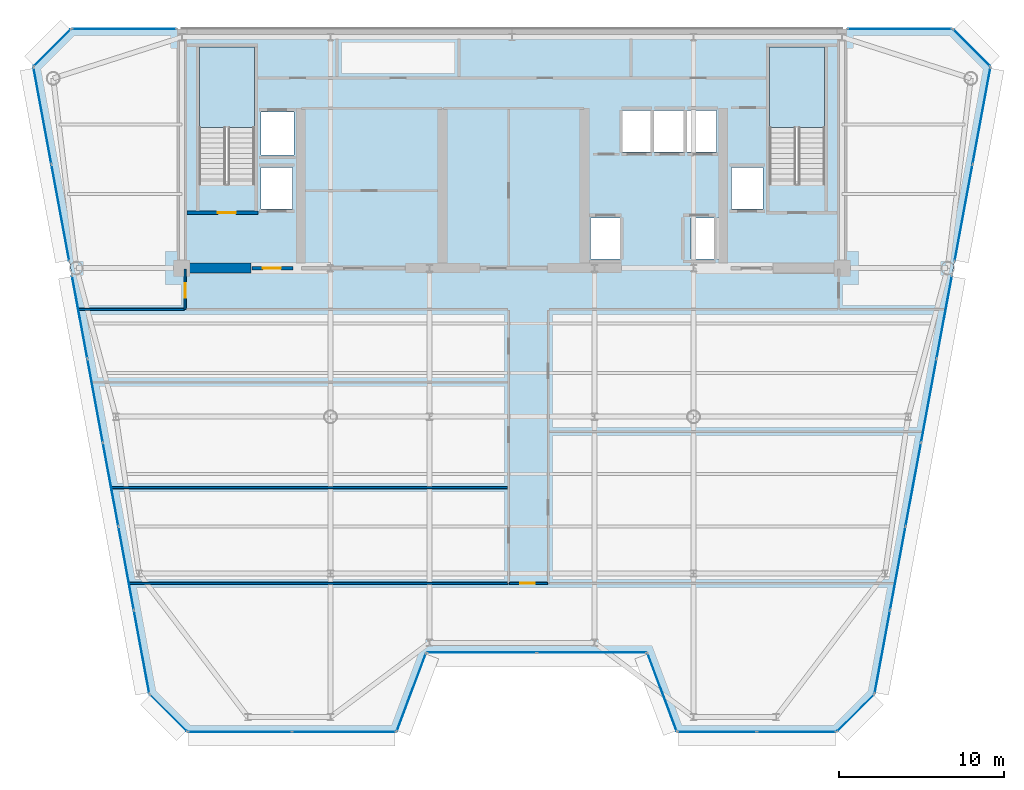
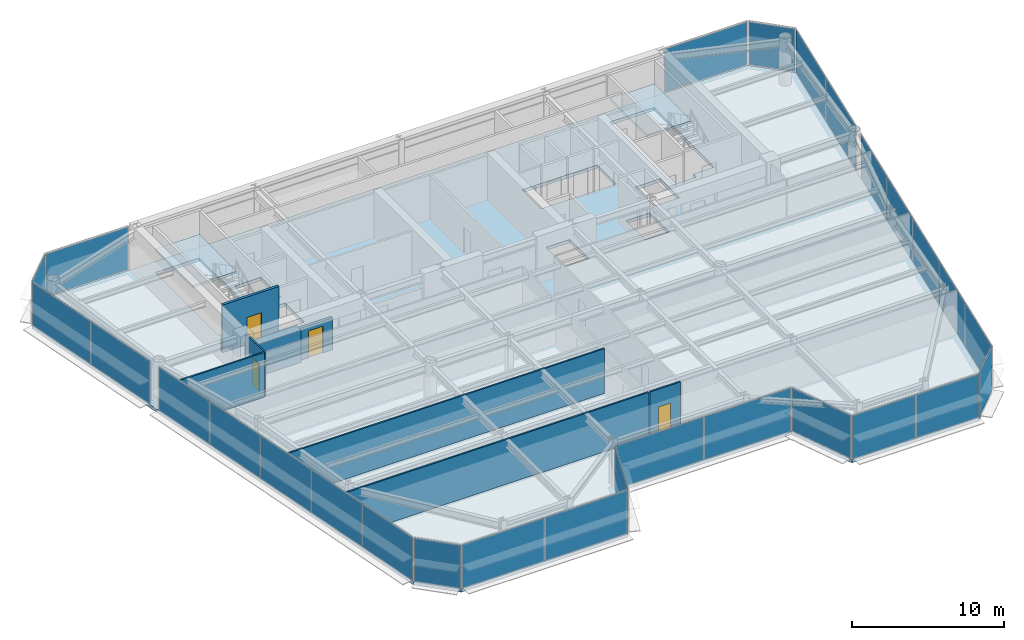
# One storey, part 10 of 16: 28 plates, 8 walls, 4 doors, 3 slabs, 4 openings, 17 elements without a shape of their own.
"""IFC4 building model written with IfcOpenShell, lengths in metres."""

from ifc_helpers import new_model, si_unit, direction, frame, frame_2d, origin, origin_2d, place, context, subcontext, project, spatial, polyline, rectangle, outline, extrude, source, transform, mapped, material, layer, layer_set, type_object, element, fill, aggregate, save


model = new_model("IFC4")

# Units and contexts
model_context = context("Model", 3, precision=1e-05, world=origin(), true_north=direction((0.0, 1.0)))
body_context = subcontext(model_context, "Body", "Model", "MODEL_VIEW")
ifc_project = project(units=[si_unit("LENGTHUNIT", "METRE"), si_unit("AREAUNIT", "SQUARE_METRE"), si_unit("VOLUMEUNIT", "CUBIC_METRE"), si_unit("PLANEANGLEUNIT", "RADIAN"), si_unit("MASSUNIT", "GRAM", prefix="KILO")], contexts=[model_context])

# Site, building, storey
site_placement = place(None, origin())
site = spatial("IfcSite", under=ifc_project, at=site_placement, CompositionType="ELEMENT")
building_placement = place(site_placement, origin())
building = spatial("IfcBuilding", under=site, at=building_placement, Name="Vaeldorn Concourse Tower", CompositionType="ELEMENT")
storey_placement = place(building_placement, frame((0.0, 0.0, 223.199951171875)))
storey = spatial("IfcBuildingStorey", under=building, at=storey_placement, Name="L57", CompositionType="ELEMENT", Elevation=223.199951171875)

# Stair, slab
ifc_material_1 = material(Name="Precast concrete C40/50", Category="concrete")
stair_type = type_object("IfcStairType", Name="STR-DOG-24x158", PredefinedType="HALF_TURN_STAIR", material=ifc_material_1)
stair_1_placement = place(storey_placement, origin())
stair_1 = element("IfcStair", 1, at=stair_1_placement, inside=storey, type_object=stair_type, Name="L57 West Core Exit Stair ST-1", PredefinedType="HALF_TURN_STAIR")
ifc_material_2 = material(Name="Concrete C40/50", Category="concrete")
ifc_layer_1 = layer(ifc_material_2, 0.199951171875)
ifc_layer_set_1 = layer_set([ifc_layer_1], Name="Concrete C40/50")
slab_type_1 = type_object("IfcSlabType", Name="SL-STAIR-LANDING", PredefinedType="LANDING", material=ifc_layer_set_1)
slab_1_placement = place(storey_placement, frame((0.0, 0.0, 1.699951171875)))
slab_1 = element("IfcSlab", 2, at=slab_1_placement, type_object=slab_type_1, Name="ST-1 landing 1", PredefinedType="LANDING", context=body_context, shape_type="SweptSolid", body=[
    extrude(outline(polyline([(18.39990234375, 45.010009765625), (18.39990234375, 49.89990234375), (15.050048828125, 49.89990234375), (15.050048828125, 45.010009765625), (18.39990234375, 45.010009765625)])), origin(), (0.0, 0.0, 1.0), 0.2001953125),
])
aggregate(stair_1, [slab_1])

stair_2_placement = place(storey_placement, origin())
stair_2 = element("IfcStair", 3, at=stair_2_placement, inside=storey, type_object=stair_type, Name="L57 East Core Exit Stair ST-2", PredefinedType="HALF_TURN_STAIR")
slab_2_placement = place(storey_placement, frame((0.0, 0.0, 1.699951171875)))
slab_2 = element("IfcSlab", 4, at=slab_2_placement, type_object=slab_type_1, Name="ST-2 landing 1", PredefinedType="LANDING", context=body_context, shape_type="SweptSolid", body=[
    extrude(outline(polyline([(52.949951171875, 45.010009765625), (52.949951171875, 49.89990234375), (49.60009765625, 49.89990234375), (49.60009765625, 45.010009765625), (52.949951171875, 45.010009765625)])), origin(), (0.0, 0.0, 1.0), 0.2001953125),
])
aggregate(stair_2, [slab_2])

# Slab
ifc_layer_2 = layer(ifc_material_2, 0.260009765625)
ifc_layer_set_2 = layer_set([ifc_layer_2], Name="Concrete C40/50")
slab_type_2 = type_object("IfcSlabType", Name="SL-TRN-260", PredefinedType="FLOOR", material=ifc_layer_set_2)
slab_3_placement = place(storey_placement, frame((0.0, 0.0, -0.260009765625)))
element("IfcSlab", 5, at=slab_3_placement, inside=storey, type_object=slab_type_2, Name="Structural Floor Slab L57", PredefinedType="FLOOR", context=body_context, shape_type="SweptSolid", body=[
    extrude(outline(polyline([(14.3291015625, 8.39990234375), (27.0, 8.39990234375), (28.800048828125, 13.199951171875), (42.199951171875, 13.199951171875), (44.0, 8.39990234375), (53.6708984375, 8.39990234375), (55.970947265625, 10.699951171875), (63.0, 48.699951171875), (60.699951171875, 51.0), (7.300048828125, 51.0), (5.0, 48.699951171875), (12.029052734375, 10.699951171875), (14.3291015625, 8.39990234375)]), holes=[polyline([(18.39990234375, 42.0), (18.39990234375, 49.89990234375), (15.050048828125, 49.89990234375), (15.050048828125, 41.60009765625), (16.800048828125, 41.60009765625), (16.800048828125, 42.0), (18.39990234375, 42.0)]), polyline([(52.949951171875, 42.0), (52.949951171875, 49.89990234375), (49.60009765625, 49.89990234375), (49.60009765625, 41.60009765625), (51.35009765625, 41.60009765625), (51.35009765625, 42.0), (52.949951171875, 42.0)]), polyline([(38.75, 37.050048828125), (40.550048828125, 37.050048828125), (40.550048828125, 39.550048828125), (38.75, 39.550048828125), (38.75, 37.050048828125)]), polyline([(44.85009765625, 37.050048828125), (46.64990234375, 37.050048828125), (46.64990234375, 39.550048828125), (44.85009765625, 39.550048828125), (44.85009765625, 37.050048828125)]), polyline([(40.699951171875, 43.550048828125), (46.39990234375, 43.550048828125), (46.39990234375, 46.050048828125), (40.699951171875, 46.050048828125), (40.699951171875, 43.550048828125)]), polyline([(18.800048828125, 43.35009765625), (20.800048828125, 43.35009765625), (20.800048828125, 45.949951171875), (18.800048828125, 45.949951171875), (18.800048828125, 43.35009765625)]), polyline([(18.800048828125, 40.10009765625), (20.699951171875, 40.10009765625), (20.699951171875, 42.60009765625), (18.800048828125, 42.60009765625), (18.800048828125, 40.10009765625)]), polyline([(47.300048828125, 40.10009765625), (49.199951171875, 40.10009765625), (49.199951171875, 42.60009765625), (47.300048828125, 42.60009765625), (47.300048828125, 40.10009765625)])]), origin(), (0.0, 0.0, 1.0), 0.260009765625),
])

# Curtain wall, plate
ifc_material_3 = material(Name="Anodised Bronze Aluminium", Category="aluminium")
ifc_layer_3 = layer(ifc_material_3, 0.179931640625)
ifc_layer_set_3 = layer_set([ifc_layer_3], Name="Anodised Bronze Aluminium")
curtain_wall_type = type_object("IfcCurtainWallType", Name="CW-SYS-05", PredefinedType="NOTDEFINED", material=ifc_layer_set_3)
curtain_wall_1_placement = place(storey_placement, origin())
curtain_wall_1 = element("IfcCurtainWall", 6, at=curtain_wall_1_placement, inside=storey, type_object=curtain_wall_type, Name="Unitised Curtain Wall CW-L57-E02-1", PredefinedType="NOTDEFINED")
ifc_material_4 = material(Name="Bronze Tinted Low-E Insulated Glass", Category="glass")
ifc_layer_4 = layer(ifc_material_4, 0.031982421875)
ifc_layer_set_4 = layer_set([ifc_layer_4], Name="Bronze Tinted Low-E Insulated Glass")
plate_type = type_object("IfcPlateType", Name="CWP-VISION-32", PredefinedType="CURTAIN_PANEL", material=ifc_layer_set_4)
shared_shape_1 = source(origin(), body_context, "Body", "SweptSolid", [
    extrude(rectangle(XDim=4.996337890625, YDim=0.031982421875, at=origin_2d()), origin(), (0.0, 0.0, 1.0), 3.449951171875),
])
plate_1_placement = place(storey_placement, frame((27.89990234375, 10.800048828125, 0.06494140625), z_axis=(0.0, 0.0, 1.0), x_axis=(0.351123441595, 0.936329177566, 0.0)))
plate_1 = element("IfcPlate", 7, at=plate_1_placement, type_object=plate_type, Name="CW-05 panel 1.1", PredefinedType="CURTAIN_PANEL", context=body_context, shape_type="MappedRepresentation", body=[
    mapped(shared_shape_1, transform((0.0, 0.0, 0.0), scale=1.0)),
])
aggregate(curtain_wall_1, [plate_1])

curtain_wall_2_placement = place(storey_placement, origin())
curtain_wall_2 = element("IfcCurtainWall", 8, at=curtain_wall_2_placement, inside=storey, type_object=curtain_wall_type, Name="Unitised Curtain Wall CW-L57-E04-1", PredefinedType="NOTDEFINED")
plate_2_placement = place(storey_placement, frame((43.10009765625, 10.800048828125, 0.06494140625), z_axis=(0.0, 0.0, 1.0), x_axis=(0.351123441595, -0.936329177566, 0.0)))
plate_2 = element("IfcPlate", 9, at=plate_2_placement, type_object=plate_type, Name="CW-05 panel 1.1", PredefinedType="CURTAIN_PANEL", context=body_context, shape_type="MappedRepresentation", body=[
    mapped(shared_shape_1, transform((0.0, 0.0, 0.0), scale=1.0)),
])
aggregate(curtain_wall_2, [plate_2])

# Curtain wall, plates
curtain_wall_3_placement = place(storey_placement, origin())
curtain_wall_3 = element("IfcCurtainWall", 10, at=curtain_wall_3_placement, inside=storey, type_object=curtain_wall_type, Name="Unitised Curtain Wall CW-L57-E03-1", PredefinedType="NOTDEFINED")
shared_shape_2 = source(origin(), body_context, "Body", "SweptSolid", [
    extrude(rectangle(XDim=6.6025390625, YDim=0.031982421875, at=origin_2d()), origin(), (0.0, 0.0, 1.0), 3.449951171875),
])
plate_3_placement = place(storey_placement, frame((32.166259765625, 13.199951171875, 0.06494140625), z_axis=(0.0, 0.0, 1.0), x_axis=(1.0, 0.0, 0.0)))
plate_3 = element("IfcPlate", 11, at=plate_3_placement, type_object=plate_type, Name="CW-05 panel 1.1", PredefinedType="CURTAIN_PANEL", context=body_context, shape_type="MappedRepresentation", body=[
    mapped(shared_shape_2, transform((0.0, 0.0, 0.0), scale=1.0)),
])
plate_4_placement = place(storey_placement, frame((38.833740234375, 13.199951171875, 0.06494140625), z_axis=(0.0, 0.0, 1.0), x_axis=(1.0, 0.0, 0.0)))
plate_4 = element("IfcPlate", 12, at=plate_4_placement, type_object=plate_type, Name="CW-05 panel 2.1", PredefinedType="CURTAIN_PANEL", context=body_context, shape_type="MappedRepresentation", body=[
    mapped(shared_shape_2, transform((0.0, 0.0, 0.0), scale=1.0)),
])
aggregate(curtain_wall_3, [plate_3, plate_4])

# Curtain wall, plate
curtain_wall_4_placement = place(storey_placement, origin())
curtain_wall_4 = element("IfcCurtainWall", 13, at=curtain_wall_4_placement, inside=storey, type_object=curtain_wall_type, Name="Unitised Curtain Wall CW-L57-E06-1", PredefinedType="NOTDEFINED")
shared_shape_3 = source(origin(), body_context, "Body", "SweptSolid", [
    extrude(rectangle(XDim=3.122802734375, YDim=0.031982421875, at=origin_2d()), origin(), (0.0, 0.0, 1.0), 3.449951171875),
])
plate_5_placement = place(storey_placement, frame((54.821044921875, 9.550048828125, 0.06494140625), z_axis=(0.0, 0.0, 1.0), x_axis=(0.707106781187, 0.707106781187, 0.0)))
plate_5 = element("IfcPlate", 14, at=plate_5_placement, type_object=plate_type, Name="CW-05 panel 1.1", PredefinedType="CURTAIN_PANEL", context=body_context, shape_type="MappedRepresentation", body=[
    mapped(shared_shape_3, transform((0.0, 0.0, 0.0), scale=1.0)),
])
aggregate(curtain_wall_4, [plate_5])

curtain_wall_5_placement = place(storey_placement, origin())
curtain_wall_5 = element("IfcCurtainWall", 15, at=curtain_wall_5_placement, inside=storey, type_object=curtain_wall_type, Name="Unitised Curtain Wall CW-L57-E08-1", PredefinedType="NOTDEFINED")
plate_6_placement = place(storey_placement, frame((61.85009765625, 49.85009765625, 0.06494140625), z_axis=(0.0, 0.0, 1.0), x_axis=(-0.707106781187, 0.707106781187, 0.0)))
plate_6 = element("IfcPlate", 16, at=plate_6_placement, type_object=plate_type, Name="CW-05 panel 1.1", PredefinedType="CURTAIN_PANEL", context=body_context, shape_type="MappedRepresentation", body=[
    mapped(shared_shape_3, transform((0.0, 0.0, 0.0), scale=1.0)),
])
aggregate(curtain_wall_5, [plate_6])

curtain_wall_6_placement = place(storey_placement, origin())
curtain_wall_6 = element("IfcCurtainWall", 17, at=curtain_wall_6_placement, inside=storey, type_object=curtain_wall_type, Name="Unitised Curtain Wall CW-L57-E10-1", PredefinedType="NOTDEFINED")
plate_7_placement = place(storey_placement, frame((6.14990234375, 49.85009765625, 0.06494140625), z_axis=(0.0, 0.0, 1.0), x_axis=(-0.707106781187, -0.707106781187, 0.0)))
plate_7 = element("IfcPlate", 18, at=plate_7_placement, type_object=plate_type, Name="CW-05 panel 1.1", PredefinedType="CURTAIN_PANEL", context=body_context, shape_type="MappedRepresentation", body=[
    mapped(shared_shape_3, transform((0.0, 0.0, 0.0), scale=1.0)),
])
aggregate(curtain_wall_6, [plate_7])

curtain_wall_7_placement = place(storey_placement, origin())
curtain_wall_7 = element("IfcCurtainWall", 19, at=curtain_wall_7_placement, inside=storey, type_object=curtain_wall_type, Name="Unitised Curtain Wall CW-L57-E12-1", PredefinedType="NOTDEFINED")
plate_8_placement = place(storey_placement, frame((13.178955078125, 9.550048828125, 0.06494140625), z_axis=(0.0, 0.0, 1.0), x_axis=(0.707106781187, -0.707106781187, 0.0)))
plate_8 = element("IfcPlate", 20, at=plate_8_placement, type_object=plate_type, Name="CW-05 panel 1.1", PredefinedType="CURTAIN_PANEL", context=body_context, shape_type="MappedRepresentation", body=[
    mapped(shared_shape_3, transform((0.0, 0.0, 0.0), scale=1.0)),
])
aggregate(curtain_wall_7, [plate_8])

curtain_wall_8_placement = place(storey_placement, origin())
curtain_wall_8 = element("IfcCurtainWall", 21, at=curtain_wall_8_placement, inside=storey, type_object=curtain_wall_type, Name="Unitised Curtain Wall CW-L57-E09-1", PredefinedType="NOTDEFINED")
shared_shape_4 = source(origin(), body_context, "Body", "SweptSolid", [
    extrude(rectangle(XDim=6.27490234375, YDim=0.031982421875, at=origin_2d()), origin(), (0.0, 0.0, 1.0), 3.449951171875),
])
plate_9_placement = place(storey_placement, frame((57.49755859375, 51.0, 0.06494140625), z_axis=(0.0, 0.0, 1.0), x_axis=(-1.0, 0.0, 0.0)))
plate_9 = element("IfcPlate", 22, at=plate_9_placement, type_object=plate_type, Name="CW-05 panel 1.1", PredefinedType="CURTAIN_PANEL", context=body_context, shape_type="MappedRepresentation", body=[
    mapped(shared_shape_4, transform((0.0, 0.0, 0.0), scale=1.0)),
])
aggregate(curtain_wall_8, [plate_9])

curtain_wall_9_placement = place(storey_placement, origin())
curtain_wall_9 = element("IfcCurtainWall", 23, at=curtain_wall_9_placement, inside=storey, type_object=curtain_wall_type, Name="Unitised Curtain Wall CW-L57-E09-2", PredefinedType="NOTDEFINED")
plate_10_placement = place(storey_placement, frame((10.50244140625, 51.0, 0.06494140625), z_axis=(0.0, 0.0, 1.0), x_axis=(-1.0, 0.0, 0.0)))
plate_10 = element("IfcPlate", 24, at=plate_10_placement, type_object=plate_type, Name="CW-05 panel 1.1", PredefinedType="CURTAIN_PANEL", context=body_context, shape_type="MappedRepresentation", body=[
    mapped(shared_shape_4, transform((0.0, 0.0, 0.0), scale=1.0)),
])
aggregate(curtain_wall_9, [plate_10])

# Curtain wall, plates
curtain_wall_10_placement = place(storey_placement, origin())
curtain_wall_10 = element("IfcCurtainWall", 25, at=curtain_wall_10_placement, inside=storey, type_object=curtain_wall_type, Name="Unitised Curtain Wall CW-L57-E07-1", PredefinedType="NOTDEFINED")
shared_shape_5 = source(origin(), body_context, "Body", "SweptSolid", [
    extrude(rectangle(XDim=5.0654296875, YDim=0.031982421875, at=origin_2d()), origin(), (0.0, 0.0, 1.0), 3.449951171875),
])
plate_11_placement = place(storey_placement, frame((56.443603515625, 13.25439453125, 0.06494140625), z_axis=(0.0, 0.0, 1.0), x_axis=(0.181888946432, 0.983319079021, 0.0)))
plate_11 = element("IfcPlate", 26, at=plate_11_placement, type_object=plate_type, Name="CW-05 panel 1.1", PredefinedType="CURTAIN_PANEL", context=body_context, shape_type="MappedRepresentation", body=[
    mapped(shared_shape_5, transform((0.0, 0.0, 0.0), scale=1.0)),
])
plate_12_placement = place(storey_placement, frame((60.19384765625, 33.529052734375, 0.06494140625), z_axis=(0.0, 0.0, 1.0), x_axis=(0.181888946432, 0.983319079021, 0.0)))
plate_12 = element("IfcPlate", 27, at=plate_12_placement, type_object=plate_type, Name="CW-05 panel 5.1", PredefinedType="CURTAIN_PANEL", context=body_context, shape_type="MappedRepresentation", body=[
    mapped(shared_shape_5, transform((0.0, 0.0, 0.0), scale=1.0)),
])

curtain_wall_11_placement = place(storey_placement, origin())
curtain_wall_11 = element("IfcCurtainWall", 28, at=curtain_wall_11_placement, inside=storey, type_object=curtain_wall_type, Name="Unitised Curtain Wall CW-L57-E11-2", PredefinedType="NOTDEFINED")
plate_13_placement = place(storey_placement, frame((7.80615234375, 33.529052734375, 0.06494140625), z_axis=(0.0, 0.0, 1.0), x_axis=(0.181888946432, -0.983319079021, 0.0)))
plate_13 = element("IfcPlate", 29, at=plate_13_placement, type_object=plate_type, Name="CW-05 panel 1.1", PredefinedType="CURTAIN_PANEL", context=body_context, shape_type="MappedRepresentation", body=[
    mapped(shared_shape_5, transform((0.0, 0.0, 0.0), scale=1.0)),
])
plate_14_placement = place(storey_placement, frame((11.556396484375, 13.25439453125, 0.06494140625), z_axis=(0.0, 0.0, 1.0), x_axis=(0.181888946432, -0.983319079021, 0.0)))
plate_14 = element("IfcPlate", 30, at=plate_14_placement, type_object=plate_type, Name="CW-05 panel 5.1", PredefinedType="CURTAIN_PANEL", context=body_context, shape_type="MappedRepresentation", body=[
    mapped(shared_shape_5, transform((0.0, 0.0, 0.0), scale=1.0)),
])

# Plate
shared_shape_6 = source(origin(), body_context, "Body", "SweptSolid", [
    extrude(rectangle(XDim=5.097900390625, YDim=0.031982421875, at=origin_2d()), origin(), (0.0, 0.0, 1.0), 3.449951171875),
])
plate_15_placement = place(storey_placement, frame((57.379638671875, 18.31494140625, 0.06494140625), z_axis=(0.0, 0.0, 1.0), x_axis=(0.181888946432, 0.983319079021, 0.0)))
plate_15 = element("IfcPlate", 31, at=plate_15_placement, type_object=plate_type, Name="CW-05 panel 2.1", PredefinedType="CURTAIN_PANEL", context=body_context, shape_type="MappedRepresentation", body=[
    mapped(shared_shape_6, transform((0.0, 0.0, 0.0), scale=1.0)),
])

plate_16_placement = place(storey_placement, frame((58.318603515625, 23.391845703125, 0.06494140625), z_axis=(0.0, 0.0, 1.0), x_axis=(0.181888946432, 0.983319079021, 0.0)))
plate_16 = element("IfcPlate", 32, at=plate_16_placement, type_object=plate_type, Name="CW-05 panel 3.1", PredefinedType="CURTAIN_PANEL", context=body_context, shape_type="MappedRepresentation", body=[
    mapped(shared_shape_6, transform((0.0, 0.0, 0.0), scale=1.0)),
])

plate_17_placement = place(storey_placement, frame((59.2578125, 28.468505859375, 0.06494140625), z_axis=(0.0, 0.0, 1.0), x_axis=(0.181888946432, 0.983319079021, 0.0)))
plate_17 = element("IfcPlate", 33, at=plate_17_placement, type_object=plate_type, Name="CW-05 panel 4.1", PredefinedType="CURTAIN_PANEL", context=body_context, shape_type="MappedRepresentation", body=[
    mapped(shared_shape_6, transform((0.0, 0.0, 0.0), scale=1.0)),
])

aggregate(curtain_wall_10, [plate_11, plate_15, plate_16, plate_17, plate_12])

plate_18_placement = place(storey_placement, frame((8.7421875, 28.468505859375, 0.06494140625), z_axis=(0.0, 0.0, 1.0), x_axis=(0.181888946432, -0.983319079021, 0.0)))
plate_18 = element("IfcPlate", 34, at=plate_18_placement, type_object=plate_type, Name="CW-05 panel 2.1", PredefinedType="CURTAIN_PANEL", context=body_context, shape_type="MappedRepresentation", body=[
    mapped(shared_shape_6, transform((0.0, 0.0, 0.0), scale=1.0)),
])

plate_19_placement = place(storey_placement, frame((9.681396484375, 23.391845703125, 0.06494140625), z_axis=(0.0, 0.0, 1.0), x_axis=(0.181888946432, -0.983319079021, 0.0)))
plate_19 = element("IfcPlate", 35, at=plate_19_placement, type_object=plate_type, Name="CW-05 panel 3.1", PredefinedType="CURTAIN_PANEL", context=body_context, shape_type="MappedRepresentation", body=[
    mapped(shared_shape_6, transform((0.0, 0.0, 0.0), scale=1.0)),
])

plate_20_placement = place(storey_placement, frame((10.620361328125, 18.31494140625, 0.06494140625), z_axis=(0.0, 0.0, 1.0), x_axis=(0.181888946432, -0.983319079021, 0.0)))
plate_20 = element("IfcPlate", 36, at=plate_20_placement, type_object=plate_type, Name="CW-05 panel 4.1", PredefinedType="CURTAIN_PANEL", context=body_context, shape_type="MappedRepresentation", body=[
    mapped(shared_shape_6, transform((0.0, 0.0, 0.0), scale=1.0)),
])

aggregate(curtain_wall_11, [plate_13, plate_18, plate_19, plate_20, plate_14])

# Curtain wall, plates
curtain_wall_12_placement = place(storey_placement, origin())
curtain_wall_12 = element("IfcCurtainWall", 37, at=curtain_wall_12_placement, inside=storey, type_object=curtain_wall_type, Name="Unitised Curtain Wall CW-L57-E07-2", PredefinedType="NOTDEFINED")
shared_shape_7 = source(origin(), body_context, "Body", "SweptSolid", [
    extrude(rectangle(XDim=5.90478515625, YDim=0.031982421875, at=origin_2d()), origin(), (0.0, 0.0, 1.0), 3.449951171875),
])
plate_21_placement = place(storey_placement, frame((61.365234375, 39.86279296875, 0.06494140625), z_axis=(0.0, 0.0, 1.0), x_axis=(0.181887908602, 0.983319270992, 0.0)))
plate_21 = element("IfcPlate", 38, at=plate_21_placement, type_object=plate_type, Name="CW-05 panel 1.1", PredefinedType="CURTAIN_PANEL", context=body_context, shape_type="MappedRepresentation", body=[
    mapped(shared_shape_7, transform((0.0, 0.0, 0.0), scale=1.0)),
])
plate_22_placement = place(storey_placement, frame((62.451171875, 45.73291015625, 0.06494140625), z_axis=(0.0, 0.0, 1.0), x_axis=(0.181887908602, 0.983319270992, 0.0)))
plate_22 = element("IfcPlate", 39, at=plate_22_placement, type_object=plate_type, Name="CW-05 panel 2.1", PredefinedType="CURTAIN_PANEL", context=body_context, shape_type="MappedRepresentation", body=[
    mapped(shared_shape_7, transform((0.0, 0.0, 0.0), scale=1.0)),
])
aggregate(curtain_wall_12, [plate_21, plate_22])

curtain_wall_13_placement = place(storey_placement, origin())
curtain_wall_13 = element("IfcCurtainWall", 40, at=curtain_wall_13_placement, inside=storey, type_object=curtain_wall_type, Name="Unitised Curtain Wall CW-L57-E11-1", PredefinedType="NOTDEFINED")
plate_23_placement = place(storey_placement, frame((5.548828125, 45.73291015625, 0.06494140625), z_axis=(0.0, 0.0, 1.0), x_axis=(0.181887908602, -0.983319270992, 0.0)))
plate_23 = element("IfcPlate", 41, at=plate_23_placement, type_object=plate_type, Name="CW-05 panel 1.1", PredefinedType="CURTAIN_PANEL", context=body_context, shape_type="MappedRepresentation", body=[
    mapped(shared_shape_7, transform((0.0, 0.0, 0.0), scale=1.0)),
])
plate_24_placement = place(storey_placement, frame((6.634765625, 39.86279296875, 0.06494140625), z_axis=(0.0, 0.0, 1.0), x_axis=(0.181887908602, -0.983319270992, 0.0)))
plate_24 = element("IfcPlate", 42, at=plate_24_placement, type_object=plate_type, Name="CW-05 panel 2.1", PredefinedType="CURTAIN_PANEL", context=body_context, shape_type="MappedRepresentation", body=[
    mapped(shared_shape_7, transform((0.0, 0.0, 0.0), scale=1.0)),
])
aggregate(curtain_wall_13, [plate_23, plate_24])

curtain_wall_14_placement = place(storey_placement, origin())
curtain_wall_14 = element("IfcCurtainWall", 43, at=curtain_wall_14_placement, inside=storey, type_object=curtain_wall_type, Name="Unitised Curtain Wall CW-L57-E01-1", PredefinedType="NOTDEFINED")
shared_shape_8 = source(origin(), body_context, "Body", "SweptSolid", [
    extrude(rectangle(XDim=6.238037109375, YDim=0.031982421875, at=origin_2d()), origin(), (0.0, 0.0, 1.0), 3.449951171875),
])
plate_25_placement = place(storey_placement, frame((17.512939453125, 8.39990234375, 0.06494140625), z_axis=(0.0, 0.0, 1.0), x_axis=(1.0, 0.0, 0.0)))
plate_25 = element("IfcPlate", 44, at=plate_25_placement, type_object=plate_type, Name="CW-05 panel 1.1", PredefinedType="CURTAIN_PANEL", context=body_context, shape_type="MappedRepresentation", body=[
    mapped(shared_shape_8, transform((0.0, 0.0, 0.0), scale=1.0)),
])
plate_26_placement = place(storey_placement, frame((23.81591796875, 8.39990234375, 0.06494140625), z_axis=(0.0, 0.0, 1.0), x_axis=(1.0, 0.0, 0.0)))
plate_26 = element("IfcPlate", 45, at=plate_26_placement, type_object=plate_type, Name="CW-05 panel 2.1", PredefinedType="CURTAIN_PANEL", context=body_context, shape_type="MappedRepresentation", body=[
    mapped(shared_shape_8, transform((0.0, 0.0, 0.0), scale=1.0)),
])
aggregate(curtain_wall_14, [plate_25, plate_26])

curtain_wall_15_placement = place(storey_placement, origin())
curtain_wall_15 = element("IfcCurtainWall", 46, at=curtain_wall_15_placement, inside=storey, type_object=curtain_wall_type, Name="Unitised Curtain Wall CW-L57-E05-1", PredefinedType="NOTDEFINED")
shared_shape_9 = source(origin(), body_context, "Body", "SweptSolid", [
    extrude(rectangle(XDim=4.738037109375, YDim=0.031982421875, at=origin_2d()), origin(), (0.0, 0.0, 1.0), 3.449951171875),
])
plate_27_placement = place(storey_placement, frame((46.43408203125, 8.39990234375, 0.06494140625), z_axis=(0.0, 0.0, 1.0), x_axis=(1.0, 0.0, 0.0)))
plate_27 = element("IfcPlate", 47, at=plate_27_placement, type_object=plate_type, Name="CW-05 panel 1.1", PredefinedType="CURTAIN_PANEL", context=body_context, shape_type="MappedRepresentation", body=[
    mapped(shared_shape_9, transform((0.0, 0.0, 0.0), scale=1.0)),
])
plate_28_placement = place(storey_placement, frame((51.237060546875, 8.39990234375, 0.06494140625), z_axis=(0.0, 0.0, 1.0), x_axis=(1.0, 0.0, 0.0)))
plate_28 = element("IfcPlate", 48, at=plate_28_placement, type_object=plate_type, Name="CW-05 panel 2.1", PredefinedType="CURTAIN_PANEL", context=body_context, shape_type="MappedRepresentation", body=[
    mapped(shared_shape_9, transform((0.0, 0.0, 0.0), scale=1.0)),
])
aggregate(curtain_wall_15, [plate_27, plate_28])

# Wall
ifc_material_5 = material(Name="Concrete C50/60", Category="concrete")
ifc_layer_5 = layer(ifc_material_5, 0.60009765625)
ifc_layer_set_5 = layer_set([ifc_layer_5], Name="Concrete C50/60")
wall_type_1 = type_object("IfcWallType", Name="WL-CORE-600", PredefinedType="SHEAR", material=ifc_layer_set_5)
wall_1_placement = place(storey_placement, frame((14.320068359375, 36.5, 0.0), z_axis=(0.0, 0.0, 1.0), x_axis=(1.0, 0.0, 0.0)))
element("IfcWall", 49, at=wall_1_placement, inside=storey, type_object=wall_type_1, Name="Rear Core Shear Wall L57 S1", PredefinedType="SHEAR", context=body_context, shape_type="SweptSolid", body=[
    extrude(rectangle(XDim=3.8798828125, YDim=0.60009765625, at=frame_2d((1.93994140625, 0.0))), origin(), (0.0, 0.0, 1.0), 2.580078125),
])

# Wall, opening, door
ifc_material_6 = material(Name="Gypsum Board Partition", Category="gypsum")
ifc_layer_6 = layer(ifc_material_6, 0.1201171875)
ifc_layer_set_6 = layer_set([ifc_layer_6], Name="Gypsum Board Partition")
wall_type_2 = type_object("IfcWallType", Name="WL-PART-120", PredefinedType="PARTITIONING", material=ifc_layer_set_6)
wall_2_placement = place(storey_placement, frame((14.199951171875, 34.0, 0.0), z_axis=(0.0, 0.0, 1.0), x_axis=(0.0, 1.0, 0.0)))
wall_2 = element("IfcWall", 50, at=wall_2_placement, inside=storey, type_object=wall_type_2, Name="Interior Wall PW-L57-C3W", PredefinedType="PARTITIONING", context=body_context, shape_type="SweptSolid", body=[
    extrude(rectangle(XDim=2.43994140625, YDim=0.1201171875, at=frame_2d((1.219970703125, 0.0))), origin(), (0.0, 0.0, 1.0), 3.580078125),
])
opening_1_placement = place(wall_2_placement, frame((0.699951171875, 0.0, 0.0)))
opening_1 = element("IfcOpeningElement", 51, at=opening_1_placement, cuts=wall_2, Name="Opening D-03", PredefinedType="OPENING", context=body_context, shape_type="SweptSolid", body=[
    extrude(rectangle(XDim=0.89990234375, YDim=2.14990234375, at=frame_2d((0.449951171875, 1.074951171875))), frame((0.0, 0.070068359375, 0.0), z_axis=(0.0, -1.0, 0.0), x_axis=(1.0, 0.0, 0.0)), (0.0, 0.0, 1.0), 0.14013671875),
])
ifc_material_7 = material(Name="Acoustic Bronze-Framed Glass Door", Category="glass")
door_type_1 = type_object("IfcDoorType", Name="DR-INT-900", OperationType="NOTDEFINED", PredefinedType="DOOR", material=ifc_material_7)
shared_shape_10 = source(origin(), body_context, "Body", "SweptSolid", [
    extrude(rectangle(XDim=0.89990234375, YDim=2.14990234375, at=frame_2d((0.449951171875, 1.074951171875))), frame((0.0, 0.02490234375, 0.0), z_axis=(0.0, -1.0, 0.0), x_axis=(1.0, 0.0, 0.0)), (0.0, 0.0, 1.0), 0.050048828125),
])
door_1_placement = place(opening_1_placement, origin())
door_1 = element("IfcDoor", 52, at=door_1_placement, inside=storey, type_object=door_type_1, Name="Interior Door DR-L57-Z3NW", OperationType="SINGLE_SWING_LEFT", OverallHeight=2.14990234375, OverallWidth=0.89990234375, PredefinedType="DOOR", context=body_context, shape_type="MappedRepresentation", body=[
    mapped(shared_shape_10, transform((0.0, 0.0, 0.0), scale=1.0)),
])
fill(opening_1, door_1)

wall_3_placement = place(storey_placement, frame((33.840087890625, 17.39990234375, 0.0), z_axis=(0.0, 0.0, 1.0), x_axis=(1.0, 0.0, 0.0)))
wall_3 = element("IfcWall", 53, at=wall_3_placement, inside=storey, type_object=wall_type_2, Name="Interior Wall PW-L57-CSPS", PredefinedType="PARTITIONING", context=body_context, shape_type="SweptSolid", body=[
    extrude(rectangle(XDim=2.31982421875, YDim=0.1201171875, at=frame_2d((1.159912109375, 0.0))), origin(), (0.0, 0.0, 1.0), 3.580078125),
])
opening_2_placement = place(wall_3_placement, frame((0.64990234375, 0.0, 0.0)))
opening_2 = element("IfcOpeningElement", 54, at=opening_2_placement, cuts=wall_3, Name="Opening D-03", PredefinedType="OPENING", context=body_context, shape_type="SweptSolid", body=[
    extrude(rectangle(XDim=0.89990234375, YDim=2.14990234375, at=frame_2d((0.449951171875, 1.074951171875))), frame((0.0, 0.070068359375, 0.0), z_axis=(0.0, -1.0, 0.0), x_axis=(1.0, 0.0, 0.0)), (0.0, 0.0, 1.0), 0.14013671875),
])
door_2_placement = place(opening_2_placement, origin())
door_2 = element("IfcDoor", 55, at=door_2_placement, inside=storey, type_object=door_type_1, Name="Interior Door DR-L57-Z3SM", OperationType="SINGLE_SWING_LEFT", OverallHeight=2.14990234375, OverallWidth=0.89990234375, PredefinedType="DOOR", context=body_context, shape_type="MappedRepresentation", body=[
    mapped(shared_shape_10, transform((0.0, 0.0, 0.0), scale=1.0)),
])
fill(opening_2, door_2)

# Walls
wall_4_placement = place(storey_placement, frame((7.759033203125, 34.0, 0.0), z_axis=(0.0, 0.0, 1.0), x_axis=(1.0, 0.0, 0.0)))
element("IfcWall", 56, at=wall_4_placement, inside=storey, type_object=wall_type_2, Name="Interior Wall PW-L57-Z3NWB", PredefinedType="PARTITIONING", context=body_context, shape_type="SweptSolid", body=[
    extrude(rectangle(XDim=6.380859375, YDim=0.1201171875, at=frame_2d((3.1904296875, 0.0))), origin(), (0.0, 0.0, 1.0), 3.580078125),
])
wall_5_placement = place(storey_placement, frame((9.7568359375, 23.199951171875, 0.0), z_axis=(0.0, 0.0, 1.0), x_axis=(1.0, 0.0, 0.0)))
element("IfcWall", 57, at=wall_5_placement, inside=storey, type_object=wall_type_2, Name="Interior Wall PW-L57-Z3WY1", PredefinedType="PARTITIONING", context=body_context, shape_type="SweptSolid", body=[
    extrude(rectangle(XDim=23.983154296875, YDim=0.1201171875, at=frame_2d((11.99169921875, 0.0))), origin(), (0.0, 0.0, 1.0), 3.580078125),
])
wall_6_placement = place(storey_placement, frame((10.82958984375, 17.39990234375, 0.0), z_axis=(0.0, 0.0, 1.0), x_axis=(1.0, 0.0, 0.0)))
element("IfcWall", 58, at=wall_6_placement, inside=storey, type_object=wall_type_2, Name="Interior Wall PW-L57-Z3SWL", PredefinedType="PARTITIONING", context=body_context, shape_type="SweptSolid", body=[
    extrude(rectangle(XDim=22.910400390625, YDim=0.1201171875, at=frame_2d((11.455078125, 0.0))), origin(), (0.0, 0.0, 1.0), 3.580078125),
])

# Wall, opening, door
ifc_layer_7 = layer(ifc_material_5, 0.199951171875)
ifc_layer_set_7 = layer_set([ifc_layer_7], Name="Concrete C50/60")
wall_type_3 = type_object("IfcWallType", Name="WL-SHAFT-200", PredefinedType="SOLIDWALL", material=ifc_layer_set_7)
wall_7_placement = place(storey_placement, frame((14.300048828125, 39.85009765625, 0.0), z_axis=(0.0, 0.0, 1.0), x_axis=(1.0, 0.0, 0.0)))
wall_7 = element("IfcWall", 59, at=wall_7_placement, inside=storey, type_object=wall_type_3, Name="Stair Shaft Wall CW-L57-ST-1-S", PredefinedType="SOLIDWALL", context=body_context, shape_type="SweptSolid", body=[
    extrude(rectangle(XDim=4.300048828125, YDim=0.199951171875, at=frame_2d((2.14990234375, 0.0))), origin(), (0.0, 0.0, 1.0), 3.800048828125),
])
opening_3_placement = place(wall_7_placement, frame((1.875, 0.0, 0.0)))
opening_3 = element("IfcOpeningElement", 60, at=opening_3_placement, cuts=wall_7, Name="Opening D-01", PredefinedType="OPENING", context=body_context, shape_type="SweptSolid", body=[
    extrude(rectangle(XDim=1.10009765625, YDim=2.14990234375, at=frame_2d((0.550048828125, 1.074951171875))), frame((0.0, 0.10986328125, 0.0), z_axis=(0.0, -1.0, 0.0), x_axis=(1.0, 0.0, 0.0)), (0.0, 0.0, 1.0), 0.219970703125),
])
ifc_material_8 = material(Name="Fire-Rated Timber and Steel Leaf", Category="steel")
door_type_2 = type_object("IfcDoorType", Name="DR-FD60-1100", OperationType="NOTDEFINED", PredefinedType="DOOR", material=ifc_material_8)
shared_shape_11 = source(origin(), body_context, "Body", "SweptSolid", [
    extrude(rectangle(XDim=1.10009765625, YDim=2.14990234375, at=frame_2d((0.550048828125, 1.074951171875))), frame((0.0, 0.02490234375, 0.0), z_axis=(0.0, -1.0, 0.0), x_axis=(1.0, 0.0, 0.0)), (0.0, 0.0, 1.0), 0.050048828125),
])
door_3_placement = place(opening_3_placement, origin())
door_3 = element("IfcDoor", 61, at=door_3_placement, inside=storey, type_object=door_type_2, Name="Interior Door DR-L57-ST-1", OperationType="SINGLE_SWING_LEFT", OverallHeight=2.14990234375, OverallWidth=1.10009765625, PredefinedType="DOOR", context=body_context, shape_type="MappedRepresentation", body=[
    mapped(shared_shape_11, transform((0.0, 0.0, 0.0), scale=1.0)),
])
fill(opening_3, door_3)

wall_8_placement = place(storey_placement, frame((18.25, 36.5, 0.0), z_axis=(0.0, 0.0, 1.0), x_axis=(1.0, 0.0, 0.0)))
wall_8 = element("IfcWall", 62, at=wall_8_placement, inside=storey, type_object=wall_type_3, Name="Interior Wall CW-L57-FF1S", PredefinedType="SOLIDWALL", context=body_context, shape_type="SweptSolid", body=[
    extrude(rectangle(XDim=2.469970703125, YDim=0.199951171875, at=frame_2d((1.23486328125, 0.0))), origin(), (0.0, 0.0, 1.0), 2.570068359375),
])
opening_4_placement = place(wall_8_placement, frame((0.64990234375, 0.0, 0.0)))
opening_4 = element("IfcOpeningElement", 63, at=opening_4_placement, cuts=wall_8, Name="Opening D-01", PredefinedType="OPENING", context=body_context, shape_type="SweptSolid", body=[
    extrude(rectangle(XDim=1.10009765625, YDim=2.14990234375, at=frame_2d((0.550048828125, 1.074951171875))), frame((0.0, 0.10986328125, 0.0), z_axis=(0.0, -1.0, 0.0), x_axis=(1.0, 0.0, 0.0)), (0.0, 0.0, 1.0), 0.219970703125),
])
door_4_placement = place(opening_4_placement, origin())
door_4 = element("IfcDoor", 64, at=door_4_placement, inside=storey, type_object=door_type_2, Name="Interior Door DR-L57-FF1E", OperationType="SINGLE_SWING_RIGHT", OverallHeight=2.14990234375, OverallWidth=1.10009765625, PredefinedType="DOOR", context=body_context, shape_type="MappedRepresentation", body=[
    mapped(shared_shape_11, transform((0.0, 0.0, 0.0), scale=1.0)),
])
fill(opening_4, door_4)

save(model, "model.ifc")
